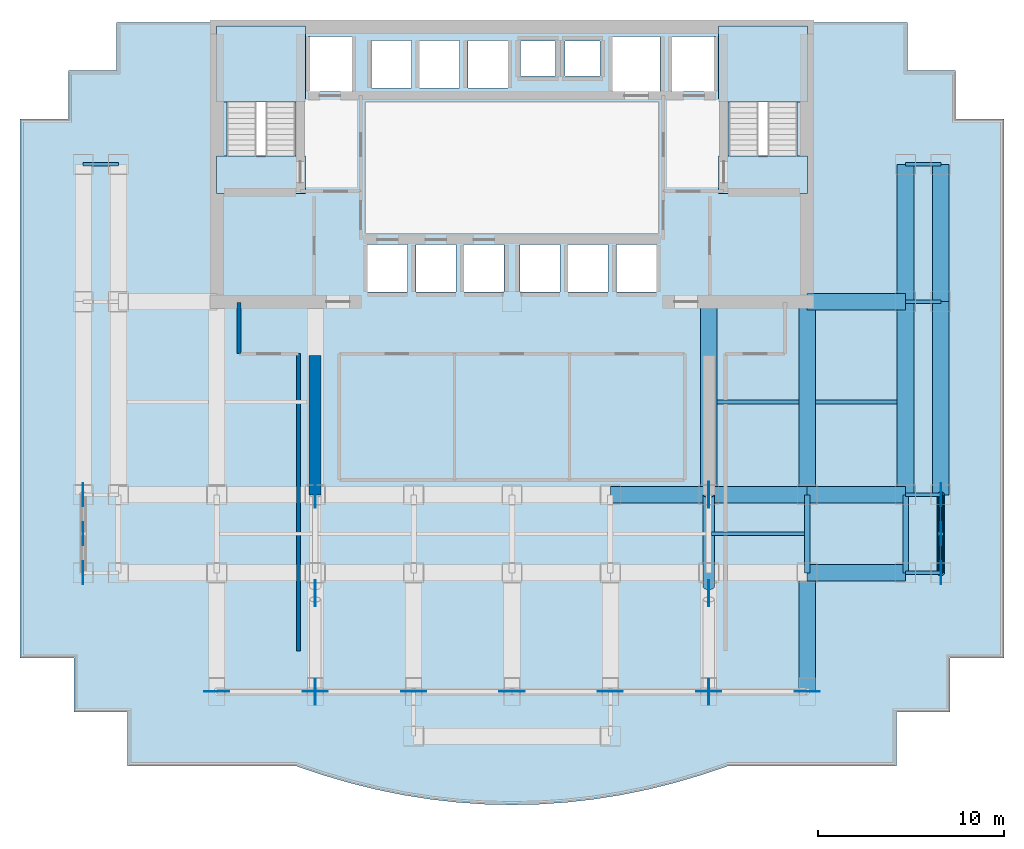
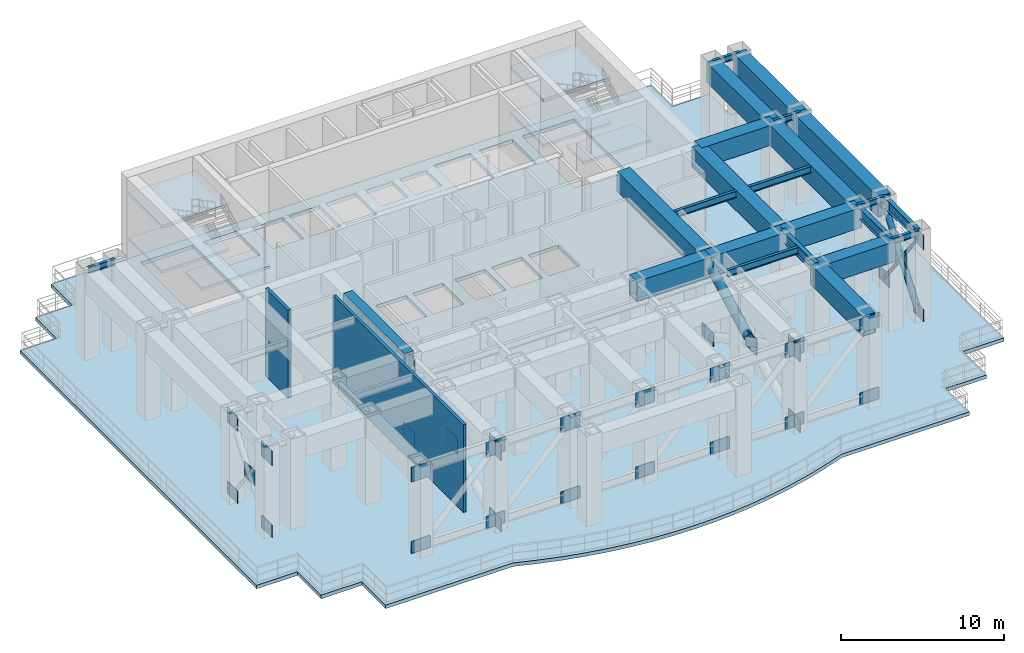
# One storey, part 2 of 7: 34 plates, 23 beams, 7 slabs, 4 members, 3 walls, 2 elements without a shape of their own.
"""IFC4 building model written with IfcOpenShell, lengths in metres."""

from ifc_helpers import new_model, si_unit, direction, frame, frame_2d, origin, origin_2d, place, context, subcontext, project, spatial, polyline, rectangle, hollow_rectangle, hollow_circle, i_section, outline, extrude, source, transform, mapped, material, layer, layer_set, material_profile, profile_set, type_object, element, aggregate, save


model = new_model("IFC4")

# Units and contexts
model_context = context("Model", 3, precision=1e-05, world=origin(), true_north=direction((0.0, 1.0)))
body_context = subcontext(model_context, "Body", "Model", "MODEL_VIEW")
ifc_project = project(units=[si_unit("LENGTHUNIT", "METRE"), si_unit("AREAUNIT", "SQUARE_METRE"), si_unit("VOLUMEUNIT", "CUBIC_METRE"), si_unit("PLANEANGLEUNIT", "RADIAN"), si_unit("MASSUNIT", "GRAM", prefix="KILO")], contexts=[model_context])

# Site, building, storey
site_placement = place(None, origin())
site = spatial("IfcSite", under=ifc_project, at=site_placement, CompositionType="ELEMENT")
building_placement = place(site_placement, origin())
building = spatial("IfcBuilding", under=site, at=building_placement, Name="Qianlan Lanfeng Residences", CompositionType="ELEMENT")
storey_placement = place(building_placement, frame((0.0, 0.0, 70.39990234375)))
storey = spatial("IfcBuildingStorey", under=building, at=storey_placement, Name="L19", CompositionType="ELEMENT", Elevation=70.39990234375)

# Member
ifc_material_1 = material(Name="Steel SN490B", Category="steel")
ifc_material_profile_1 = material_profile(ifc_material_1, hollow_circle(Radius=0.203125, WallThickness=0.01611328125, at=origin_2d()), Name="CHS 406.4x16")
ifc_profile_set_1 = profile_set([ifc_material_profile_1], Name="Steel SN490B")
member_type_1 = type_object("IfcMemberType", Name="BB-457", PredefinedType="BRACE", material=ifc_profile_set_1)
member_1_placement = place(storey_placement, frame((49.60009765625, 10.60009765625, 0.35009765625), z_axis=(0.0, 0.602743372314, 0.79793510208), x_axis=(-1.0, 0.0, 0.0)))
element("IfcMember", 1, at=member_1_placement, inside=storey, type_object=member_type_1, Name="L19 E End Portal Continuous Diagonal", PredefinedType="BRACE", context=body_context, shape_type="SweptSolid", body=[
    extrude(hollow_circle(Radius=0.203125, WallThickness=0.01611328125, at=origin_2d()), origin(), (0.0, 0.0, 1.0), 6.968017578125),
])

# Beams
ifc_material_profile_2 = material_profile(ifc_material_1, i_section(OverallWidth=0.300048828125, OverallDepth=0.800048828125, WebThickness=0.01611328125, FlangeThickness=0.028076171875, at=origin_2d()), Name="H 800x300x16x28")
ifc_profile_set_2 = profile_set([ifc_material_profile_2], Name="Steel SN490B")
beam_type_1 = type_object("IfcBeamType", Name="G-950", PredefinedType="BEAM", material=ifc_profile_set_2)
for number, where, z_axis, x_axis, name in (
    (2, (42.39990234375, 10.60009765625, 6.16015625), (0.0, 1.0, 0.0), (-1.0, 0.0, 0.0), "Structural beam G-950"),
    (3, (47.699951171875, 10.60009765625, 6.16015625), (0.0, 1.0, 0.0), (-1.0, 0.0, 0.0), "Structural beam G-950"),
    (4, (49.60009765625, 10.60009765625, 6.16015625), (0.0, 1.0, 0.0), (-1.0, 0.0, 0.0), "Structural beam G-950"),
):
    element("IfcBeam", number, at=place(storey_placement, frame(where, z_axis=z_axis, x_axis=x_axis)), inside=storey, type_object=beam_type_1, Name=name, PredefinedType="BEAM", context=body_context, shape_type="SweptSolid", body=[
        extrude(i_section(OverallWidth=0.300048828125, OverallDepth=0.800048828125, WebThickness=0.01611328125, FlangeThickness=0.028076171875, at=origin_2d()), origin(), (0.0, 0.0, 1.0), 4.199951171875),
    ])
ifc_material_profile_3 = material_profile(ifc_material_1, i_section(OverallWidth=0.199951171875, OverallDepth=0.449951171875, WebThickness=0.009033203125, FlangeThickness=0.013916015625, at=origin_2d()), Name="H 450x200x9x14")
ifc_profile_set_3 = profile_set([ifc_material_profile_3], Name="Steel SN490B")
beam_type_2 = type_object("IfcBeamType", Name="J-450", PredefinedType="JOIST", material=ifc_profile_set_3)
for number, where, z_axis, x_axis, name in (
    (5, (47.699951171875, 10.60009765625, 6.335205078125), (1.0, 0.0, 0.0), (0.0, 1.0, 0.0), "Structural beam J-450"),
    (6, (47.699951171875, 14.800048828125, 6.335205078125), (1.0, 0.0, 0.0), (0.0, 1.0, 0.0), "Structural beam J-450"),
    (7, (47.699951171875, 25.199951171875, 6.335205078125), (1.0, 0.0, 0.0), (0.0, 1.0, 0.0), "Structural beam J-450"),
    (8, (3.39990234375, 32.60009765625, 6.335205078125), (1.0, 0.0, 0.0), (0.0, 1.0, 0.0), "Structural beam J-450"),
    (9, (47.699951171875, 32.60009765625, 6.335205078125), (1.0, 0.0, 0.0), (0.0, 1.0, 0.0), "Structural beam J-450"),
):
    element("IfcBeam", number, at=place(storey_placement, frame(where, z_axis=z_axis, x_axis=x_axis)), inside=storey, type_object=beam_type_2, Name=name, PredefinedType="JOIST", context=body_context, shape_type="SweptSolid", body=[
        extrude(i_section(OverallWidth=0.199951171875, OverallDepth=0.449951171875, WebThickness=0.009033203125, FlangeThickness=0.013916015625, at=origin_2d()), origin(), (0.0, 0.0, 1.0), 1.900146484375),
    ])
ifc_material_profile_4 = material_profile(ifc_material_1, i_section(OverallWidth=0.199951171875, OverallDepth=0.5, WebThickness=0.010009765625, FlangeThickness=0.01611328125, at=origin_2d()), Name="H 500x200x10x16")
ifc_profile_set_4 = profile_set([ifc_material_profile_4], Name="Steel SN490B")
beam_type_3 = type_object("IfcBeamType", Name="J-500", PredefinedType="JOIST", material=ifc_profile_set_4)
beam_1_placement = place(storey_placement, frame((37.25, 12.699951171875, 6.31005859375), z_axis=(1.0, 0.0, 0.0), x_axis=(0.0, 1.0, 0.0)))
element("IfcBeam", 10, at=beam_1_placement, inside=storey, type_object=beam_type_3, Name="Structural beam J-500", PredefinedType="JOIST", context=body_context, shape_type="SweptSolid", body=[
    extrude(i_section(OverallWidth=0.199951171875, OverallDepth=0.5, WebThickness=0.010009765625, FlangeThickness=0.01611328125, at=origin_2d()), origin(), (0.0, 0.0, 1.0), 5.0),
])
for number, where, z_axis, x_axis, name in (
    (11, (37.550048828125, 19.800048828125, 6.31005859375), (1.0, 0.0, 0.0), (0.0, 1.0, 0.0), "Structural beam J-500"),
    (12, (42.85009765625, 19.800048828125, 6.31005859375), (1.0, 0.0, 0.0), (0.0, 1.0, 0.0), "Structural beam J-500"),
):
    element("IfcBeam", number, at=place(storey_placement, frame(where, z_axis=z_axis, x_axis=x_axis)), inside=storey, type_object=beam_type_3, Name=name, PredefinedType="JOIST", context=body_context, shape_type="SweptSolid", body=[
        extrude(i_section(OverallWidth=0.199951171875, OverallDepth=0.5, WebThickness=0.010009765625, FlangeThickness=0.01611328125, at=origin_2d()), origin(), (0.0, 0.0, 1.0), 4.39990234375),
    ])

# Members
ifc_material_profile_5 = material_profile(ifc_material_1, hollow_circle(Radius=0.3046875, WallThickness=0.02490234375, at=origin_2d()), Name="CHS 609.6x25")
ifc_profile_set_5 = profile_set([ifc_material_profile_5], Name="Steel SN490B")
member_type_2 = type_object("IfcMemberType", Name="OB-610", PredefinedType="BRACE", material=ifc_profile_set_5)
member_2_placement = place(storey_placement, frame((37.10009765625, 14.800048828125, 5.91015625), z_axis=(0.0, -0.885573074059, -0.464500086654), x_axis=(1.0, 0.0, 0.0)))
element("IfcMember", 13, at=member_2_placement, inside=storey, type_object=member_type_2, Name="L19 Outrigger Split Upper Half-Diagonal G8-D2A", PredefinedType="BRACE", context=body_context, shape_type="SweptSolid", body=[
    extrude(hollow_circle(Radius=0.3046875, WallThickness=0.02490234375, at=origin_2d()), origin(), (0.0, 0.0, 1.0), 5.60498046875),
])
ifc_material_profile_6 = material_profile(ifc_material_1, hollow_circle(Radius=0.109619140625, WallThickness=0.010009765625, at=origin_2d()), Name="CHS 219.1x10")
ifc_profile_set_6 = profile_set([ifc_material_profile_6], Name="Steel SN490B")
member_type_3 = type_object("IfcMemberType", Name="PB-273", PredefinedType="STRUT", material=ifc_profile_set_6)
member_3_placement = place(storey_placement, frame((49.60009765625, 14.800048828125, 0.35009765625), z_axis=(0.0, -0.602766012183, 0.797917999895), x_axis=(1.0, 0.0, 0.0)))
element("IfcMember", 14, at=member_3_placement, inside=storey, type_object=member_type_3, Name="L19 E Portal Split Counter-Brace Lower Half", PredefinedType="STRUT", context=body_context, shape_type="SweptSolid", body=[
    extrude(hollow_circle(Radius=0.109619140625, WallThickness=0.010009765625, at=origin_2d()), origin(), (0.0, 0.0, 1.0), 3.243896484375),
])
member_4_placement = place(storey_placement, frame((49.60009765625, 12.555419921875, 3.321533203125), z_axis=(0.0, -0.602729816328, 0.797945341806), x_axis=(1.0, 0.0, 0.0)))
element("IfcMember", 15, at=member_4_placement, inside=storey, type_object=member_type_3, Name="L19 E Portal Split Counter-Brace Upper Half", PredefinedType="STRUT", context=body_context, shape_type="SweptSolid", body=[
    extrude(hollow_circle(Radius=0.109619140625, WallThickness=0.010009765625, at=origin_2d()), origin(), (0.0, 0.0, 1.0), 3.244140625),
])

# Beams
ifc_material_2 = material(Name="Steel SM570 (420 MPa)", Category="steel")
ifc_material_profile_7 = material_profile(ifc_material_2, hollow_rectangle(XDim=0.89990234375, YDim=1.5, WallThickness=0.035888671875, at=origin_2d()), Name="BOX 1500x900x36")
ifc_profile_set_7 = profile_set([ifc_material_profile_7], Name="Steel SM570 (420 MPa)")
beam_type_4 = type_object("IfcBeamType", Name="TG-1800", PredefinedType="BEAM", material=ifc_profile_set_7)
for number, where, z_axis, x_axis, name in (
    (16, (42.39990234375, 10.60009765625, 5.81005859375), (1.0, 0.0, 0.0), (0.0, 1.0, 0.0), "Structural beam TG-1800"),
    (17, (31.800048828125, 14.800048828125, 5.81005859375), (1.0, 0.0, 0.0), (0.0, 1.0, 0.0), "Structural beam TG-1800"),
):
    element("IfcBeam", number, at=place(storey_placement, frame(where, z_axis=z_axis, x_axis=x_axis)), inside=storey, type_object=beam_type_4, Name=name, PredefinedType="BEAM", context=body_context, shape_type="SweptSolid", body=[
        extrude(hollow_rectangle(XDim=0.89990234375, YDim=1.5, WallThickness=0.035888671875, at=origin_2d()), origin(), (0.0, 0.0, 1.0), 5.300048828125),
    ])
beam_2_placement = place(storey_placement, frame((37.10009765625, 14.800048828125, 5.81005859375), z_axis=(1.0, 0.0, 0.0), x_axis=(0.0, 1.0, 0.0)))
element("IfcBeam", 18, at=beam_2_placement, inside=storey, type_object=beam_type_4, Name="Structural beam TG-1800", PredefinedType="BEAM", context=body_context, shape_type="SweptSolid", body=[
    extrude(hollow_rectangle(XDim=0.89990234375, YDim=1.5, WallThickness=0.035888671875, at=origin_2d()), origin(), (0.0, 0.0, 1.0), 5.2998046875),
])
for number, where, z_axis, x_axis, name in (
    (19, (42.39990234375, 14.800048828125, 5.81005859375), (1.0, 0.0, 0.0), (0.0, 1.0, 0.0), "Structural beam TG-1800"),
    (20, (42.39990234375, 25.199951171875, 5.81005859375), (1.0, 0.0, 0.0), (0.0, 1.0, 0.0), "Structural beam TG-1800"),
):
    element("IfcBeam", number, at=place(storey_placement, frame(where, z_axis=z_axis, x_axis=x_axis)), inside=storey, type_object=beam_type_4, Name=name, PredefinedType="BEAM", context=body_context, shape_type="SweptSolid", body=[
        extrude(hollow_rectangle(XDim=0.89990234375, YDim=1.5, WallThickness=0.035888671875, at=origin_2d()), origin(), (0.0, 0.0, 1.0), 5.300048828125),
    ])
beam_3_placement = place(storey_placement, frame((37.10009765625, 14.800048828125, 5.81005859375), z_axis=(0.0, 1.0, 0.0), x_axis=(-1.0, 0.0, 0.0)))
element("IfcBeam", 21, at=beam_3_placement, inside=storey, type_object=beam_type_4, Name="Structural beam TG-1800", PredefinedType="BEAM", context=body_context, shape_type="SweptSolid", body=[
    extrude(hollow_rectangle(XDim=0.89990234375, YDim=1.5, WallThickness=0.035888671875, at=origin_2d()), origin(), (0.0, 0.0, 1.0), 10.39990234375),
])
beam_4_placement = place(storey_placement, frame((42.39990234375, 4.199951171875, 5.81005859375), z_axis=(0.0, 1.0, 0.0), x_axis=(-1.0, 0.0, 0.0)))
element("IfcBeam", 22, at=beam_4_placement, inside=storey, type_object=beam_type_4, Name="Structural beam TG-1800", PredefinedType="BEAM", context=body_context, shape_type="SweptSolid", body=[
    extrude(hollow_rectangle(XDim=0.89990234375, YDim=1.5, WallThickness=0.035888671875, at=origin_2d()), origin(), (0.0, 0.0, 1.0), 6.400146484375),
])
for number, where, z_axis, x_axis, name in (
    (23, (42.39990234375, 14.800048828125, 5.81005859375), (0.0, 1.0, 0.0), (-1.0, 0.0, 0.0), "Structural beam TG-1800"),
    (24, (47.699951171875, 14.800048828125, 5.81005859375), (0.0, 1.0, 0.0), (-1.0, 0.0, 0.0), "Structural beam TG-1800"),
):
    element("IfcBeam", number, at=place(storey_placement, frame(where, z_axis=z_axis, x_axis=x_axis)), inside=storey, type_object=beam_type_4, Name=name, PredefinedType="BEAM", context=body_context, shape_type="SweptSolid", body=[
        extrude(hollow_rectangle(XDim=0.89990234375, YDim=1.5, WallThickness=0.035888671875, at=origin_2d()), origin(), (0.0, 0.0, 1.0), 10.39990234375),
    ])
beam_5_placement = place(storey_placement, frame((47.699951171875, 25.199951171875, 5.81005859375), z_axis=(0.0, 1.0, 0.0), x_axis=(-1.0, 0.0, 0.0)))
element("IfcBeam", 25, at=beam_5_placement, inside=storey, type_object=beam_type_4, Name="Structural beam TG-1800", PredefinedType="BEAM", context=body_context, shape_type="SweptSolid", body=[
    extrude(hollow_rectangle(XDim=0.89990234375, YDim=1.5, WallThickness=0.035888671875, at=origin_2d()), origin(), (0.0, 0.0, 1.0), 7.400146484375),
])
beam_6_placement = place(storey_placement, frame((49.60009765625, 14.800048828125, 5.81005859375), z_axis=(0.0, 1.0, 0.0), x_axis=(-1.0, 0.0, 0.0)))
element("IfcBeam", 26, at=beam_6_placement, inside=storey, type_object=beam_type_4, Name="Structural beam TG-1800", PredefinedType="BEAM", context=body_context, shape_type="SweptSolid", body=[
    extrude(hollow_rectangle(XDim=0.89990234375, YDim=1.5, WallThickness=0.035888671875, at=origin_2d()), origin(), (0.0, 0.0, 1.0), 10.39990234375),
])
beam_7_placement = place(storey_placement, frame((49.60009765625, 25.199951171875, 5.81005859375), z_axis=(0.0, 1.0, 0.0), x_axis=(-1.0, 0.0, 0.0)))
element("IfcBeam", 27, at=beam_7_placement, inside=storey, type_object=beam_type_4, Name="Structural beam TG-1800", PredefinedType="BEAM", context=body_context, shape_type="SweptSolid", body=[
    extrude(hollow_rectangle(XDim=0.89990234375, YDim=1.5, WallThickness=0.035888671875, at=origin_2d()), origin(), (0.0, 0.0, 1.0), 7.400146484375),
])

# Stair, slabs
ifc_material_3 = material(Name="Concrete C42", Category="concrete")
stair_type = type_object("IfcStairType", Name="STR-MAIN", PredefinedType="HALF_TURN_STAIR", material=ifc_material_3)
stair_1_placement = place(storey_placement, origin())
stair_1 = element("IfcStair", 28, at=stair_1_placement, inside=storey, type_object=stair_type, Name="L19 Exit Stair ST-1", PredefinedType="HALF_TURN_STAIR")
ifc_layer_1 = layer(ifc_material_3, 0.179931640625)
ifc_layer_set_1 = layer_set([ifc_layer_1], Name="Concrete C42")
slab_type_1 = type_object("IfcSlabType", Name="S-LND-180", PredefinedType="LANDING", material=ifc_layer_set_1)
slab_1_placement = place(storey_placement, frame((0.0, 0.0, 1.5)))
slab_1 = element("IfcSlab", 29, at=slab_1_placement, type_object=slab_type_1, Name="ST-1 landing 1", PredefinedType="LANDING", context=body_context, shape_type="SweptSolid", body=[
    extrude(outline(polyline([(10.580078125, 35.949951171875), (15.3798828125, 35.949951171875), (15.3798828125, 40.050048828125), (10.580078125, 40.050048828125), (10.580078125, 35.949951171875)])), origin(), (0.0, 0.0, 1.0), 0.2001953125),
])
slab_2_placement = place(storey_placement, frame((0.0, 0.0, 3.2001953125)))
slab_2 = element("IfcSlab", 30, at=slab_2_placement, type_object=slab_type_1, Name="ST-1 landing 2", PredefinedType="LANDING", context=body_context, shape_type="SweptSolid", body=[
    extrude(outline(polyline([(10.580078125, 31.02001953125), (15.3798828125, 31.02001953125), (15.3798828125, 33.050048828125), (10.580078125, 33.050048828125), (10.580078125, 31.02001953125)])), origin(), (0.0, 0.0, 1.0), 0.199951171875),
])
slab_3_placement = place(storey_placement, frame((0.0, 0.0, 4.900146484375)))
slab_3 = element("IfcSlab", 31, at=slab_3_placement, type_object=slab_type_1, Name="ST-1 landing 3", PredefinedType="LANDING", context=body_context, shape_type="SweptSolid", body=[
    extrude(outline(polyline([(10.580078125, 35.949951171875), (15.3798828125, 35.949951171875), (15.3798828125, 40.050048828125), (10.580078125, 40.050048828125), (10.580078125, 35.949951171875)])), origin(), (0.0, 0.0, 1.0), 0.199951171875),
])
aggregate(stair_1, [slab_1, slab_2, slab_3])

stair_2_placement = place(storey_placement, origin())
stair_2 = element("IfcStair", 32, at=stair_2_placement, inside=storey, type_object=stair_type, Name="L19 Exit Stair ST-2", PredefinedType="HALF_TURN_STAIR")
slab_4_placement = place(storey_placement, frame((0.0, 0.0, 1.5)))
slab_4 = element("IfcSlab", 33, at=slab_4_placement, type_object=slab_type_1, Name="ST-2 landing 1", PredefinedType="LANDING", context=body_context, shape_type="SweptSolid", body=[
    extrude(outline(polyline([(37.6201171875, 35.949951171875), (42.419921875, 35.949951171875), (42.419921875, 40.050048828125), (37.6201171875, 40.050048828125), (37.6201171875, 35.949951171875)])), origin(), (0.0, 0.0, 1.0), 0.2001953125),
])
slab_5_placement = place(storey_placement, frame((0.0, 0.0, 3.2001953125)))
slab_5 = element("IfcSlab", 34, at=slab_5_placement, type_object=slab_type_1, Name="ST-2 landing 2", PredefinedType="LANDING", context=body_context, shape_type="SweptSolid", body=[
    extrude(outline(polyline([(37.6201171875, 31.02001953125), (42.419921875, 31.02001953125), (42.419921875, 33.050048828125), (37.6201171875, 33.050048828125), (37.6201171875, 31.02001953125)])), origin(), (0.0, 0.0, 1.0), 0.199951171875),
])
slab_6_placement = place(storey_placement, frame((0.0, 0.0, 4.900146484375)))
slab_6 = element("IfcSlab", 35, at=slab_6_placement, type_object=slab_type_1, Name="ST-2 landing 3", PredefinedType="LANDING", context=body_context, shape_type="SweptSolid", body=[
    extrude(outline(polyline([(37.6201171875, 35.949951171875), (42.419921875, 35.949951171875), (42.419921875, 40.050048828125), (37.6201171875, 40.050048828125), (37.6201171875, 35.949951171875)])), origin(), (0.0, 0.0, 1.0), 0.199951171875),
])
aggregate(stair_2, [slab_4, slab_5, slab_6])

# Slab
ifc_material_4 = material(Name="Concrete C56", Category="concrete")
ifc_layer_2 = layer(ifc_material_4, 0.27001953125)
ifc_layer_set_2 = layer_set([ifc_layer_2], Name="Concrete C56")
slab_type_2 = type_object("IfcSlabType", Name="S-PRT-270", PredefinedType="FLOOR", material=ifc_layer_set_2)
slab_7_placement = place(storey_placement, frame((0.0, 0.0, -0.27001953125)))
element("IfcSlab", 36, at=slab_7_placement, inside=storey, type_object=slab_type_2, Name="L19 Structural Floor Slab", PredefinedType="FLOOR", context=body_context, shape_type="SweptSolid", body=[
    extrude(outline(polyline([(0.0, 6.0), (2.89990234375, 6.0), (2.89990234375, 3.10009765625), (5.800048828125, 3.10009765625), (5.800048828125, 0.199951171875), (14.85009765625, 0.199951171875), (16.305908203125, -0.2919921875), (17.761962890625, -0.718994140625), (19.218994140625, -1.080078125), (20.675048828125, -1.375), (22.131103515625, -1.60498046875), (23.5869140625, -1.76904296875), (25.0439453125, -1.866943359375), (26.5, -1.89990234375), (27.9560546875, -1.866943359375), (29.412109375, -1.76904296875), (30.868896484375, -1.60498046875), (32.324951171875, -1.375), (33.781005859375, -1.080078125), (35.237060546875, -0.718994140625), (36.694091796875, -0.2919921875), (38.14990234375, 0.199951171875), (47.199951171875, 0.199951171875), (47.199951171875, 3.10009765625), (50.10009765625, 3.10009765625), (50.10009765625, 6.0), (53.0, 6.0), (53.0, 35.050048828125), (50.39990234375, 35.050048828125), (50.39990234375, 37.64990234375), (47.800048828125, 37.64990234375), (47.800048828125, 40.25), (5.199951171875, 40.25), (5.199951171875, 37.64990234375), (2.60009765625, 37.64990234375), (2.60009765625, 35.050048828125), (0.0, 35.050048828125), (0.0, 6.0)]), holes=[polyline([(11.139892578125, 33.080078125), (11.139892578125, 39.5), (14.820068359375, 39.5), (14.820068359375, 33.080078125), (11.139892578125, 33.080078125)]), polyline([(38.179931640625, 33.080078125), (38.179931640625, 39.5), (41.860107421875, 39.5), (41.860107421875, 33.080078125), (38.179931640625, 33.080078125)]), polyline([(15.52001953125, 36.52001953125), (15.52001953125, 39.47998046875), (17.8798828125, 39.47998046875), (17.8798828125, 36.52001953125), (15.52001953125, 36.52001953125)]), polyline([(35.1201171875, 36.52001953125), (35.1201171875, 39.47998046875), (37.47998046875, 39.47998046875), (37.47998046875, 36.52001953125), (35.1201171875, 36.52001953125)]), polyline([(31.919921875, 36.52001953125), (31.919921875, 39.47998046875), (34.47998046875, 39.47998046875), (34.47998046875, 36.52001953125), (31.919921875, 36.52001953125)]), polyline([(18.719970703125, 25.719970703125), (18.719970703125, 28.280029296875), (20.8798828125, 28.280029296875), (20.8798828125, 25.719970703125), (18.719970703125, 25.719970703125)]), polyline([(21.320068359375, 25.719970703125), (21.320068359375, 28.280029296875), (23.47998046875, 28.280029296875), (23.47998046875, 25.719970703125), (21.320068359375, 25.719970703125)]), polyline([(23.919921875, 25.719970703125), (23.919921875, 28.280029296875), (26.080078125, 28.280029296875), (26.080078125, 25.719970703125), (23.919921875, 25.719970703125)]), polyline([(26.919921875, 25.719970703125), (26.919921875, 28.280029296875), (29.080078125, 28.280029296875), (29.080078125, 25.719970703125), (26.919921875, 25.719970703125)]), polyline([(29.52001953125, 25.719970703125), (29.52001953125, 28.280029296875), (31.679931640625, 28.280029296875), (31.679931640625, 25.719970703125), (29.52001953125, 25.719970703125)]), polyline([(32.1201171875, 25.719970703125), (32.1201171875, 28.280029296875), (34.280029296875, 28.280029296875), (34.280029296875, 25.719970703125), (32.1201171875, 25.719970703125)]), polyline([(18.919921875, 36.719970703125), (18.919921875, 39.280029296875), (21.080078125, 39.280029296875), (21.080078125, 36.719970703125), (18.919921875, 36.719970703125)]), polyline([(21.52001953125, 36.719970703125), (21.52001953125, 39.280029296875), (23.679931640625, 39.280029296875), (23.679931640625, 36.719970703125), (21.52001953125, 36.719970703125)]), polyline([(24.1201171875, 36.719970703125), (24.1201171875, 39.280029296875), (26.280029296875, 39.280029296875), (26.280029296875, 36.719970703125), (24.1201171875, 36.719970703125)]), polyline([(26.949951171875, 37.35009765625), (26.949951171875, 39.25), (28.85009765625, 39.25), (28.85009765625, 37.35009765625), (26.949951171875, 37.35009765625)]), polyline([(29.35009765625, 37.35009765625), (29.35009765625, 39.25), (31.25, 39.25), (31.25, 37.35009765625), (29.35009765625, 37.35009765625)])]), origin(), (0.0, 0.0, 1.0), 0.27001953125),
])

# Plates
ifc_layer_3 = layer(ifc_material_1, 0.035888671875)
ifc_layer_set_3 = layer_set([ifc_layer_3], Name="Steel SN490B")
plate_type_1 = type_object("IfcPlateType", Name="NP-GUS-36", PredefinedType="USERDEFINED", material=ifc_layer_set_3)
shared_shape_1 = source(origin(), body_context, "Body", "SweptSolid", [
    extrude(rectangle(XDim=0.035888671875, YDim=1.39990234375, at=origin_2d()), origin(), (0.0, 0.0, 1.0), 1.199951171875),
])
for number, where, z_axis, x_axis, name in (
    (37, (15.89990234375, 9.5, 2.5302734375), (0.0, 0.0, 1.0), (1.0, 0.0, 0.0), "L19 Outrigger X-Brace Central Gusset Plate G4-XC"),
    (38, (15.89990234375, 14.800048828125, -0.25), (0.0, 0.0, 1.0), (1.0, 0.0, 0.0), "L19 Outrigger End Gusset Plate G4-NB"),
    (39, (15.89990234375, 14.800048828125, 5.31005859375), (0.0, 0.0, 1.0), (1.0, 0.0, 0.0), "L19 Outrigger End Gusset Plate G4-NT"),
    (40, (15.89990234375, 4.199951171875, -0.25), (0.0, 0.0, 1.0), (1.0, 0.0, 0.0), "L19 Outrigger End Gusset Plate G4-SB"),
    (41, (15.89990234375, 4.199951171875, 5.31005859375), (0.0, 0.0, 1.0), (1.0, 0.0, 0.0), "L19 Outrigger End Gusset Plate G4-ST"),
    (42, (37.10009765625, 9.5, 2.5302734375), (0.0, 0.0, 1.0), (1.0, 0.0, 0.0), "L19 Outrigger X-Brace Central Gusset Plate G8-XC"),
    (43, (37.10009765625, 14.800048828125, -0.25), (0.0, 0.0, 1.0), (1.0, 0.0, 0.0), "L19 Outrigger End Gusset Plate G8-NB"),
    (44, (37.10009765625, 14.800048828125, 5.31005859375), (0.0, 0.0, 1.0), (1.0, 0.0, 0.0), "L19 Outrigger End Gusset Plate G8-NT"),
    (45, (37.10009765625, 4.199951171875, -0.25), (0.0, 0.0, 1.0), (1.0, 0.0, 0.0), "L19 Outrigger End Gusset Plate G8-SB"),
    (46, (37.10009765625, 4.199951171875, 5.31005859375), (0.0, 0.0, 1.0), (1.0, 0.0, 0.0), "L19 Outrigger End Gusset Plate G8-ST"),
):
    element("IfcPlate", number, at=place(storey_placement, frame(where, z_axis=z_axis, x_axis=x_axis)), inside=storey, type_object=plate_type_1, Name=name, ObjectType="GUSSET", PredefinedType="USERDEFINED", context=body_context, shape_type="MappedRepresentation", body=[
        mapped(shared_shape_1, transform((0.0, 0.0, 0.0), scale=1.0)),
    ])
ifc_layer_4 = layer(ifc_material_1, 0.028076171875)
ifc_layer_set_4 = layer_set([ifc_layer_4], Name="Steel SN490B")
plate_type_2 = type_object("IfcPlateType", Name="NP-GUS-28", PredefinedType="USERDEFINED", material=ifc_layer_set_4)
shared_shape_2 = source(origin(), body_context, "Body", "SweptSolid", [
    extrude(rectangle(XDim=1.35009765625, YDim=0.028076171875, at=origin_2d()), origin(), (0.0, 0.0, 1.0), 1.10009765625),
])
for number, where, z_axis, x_axis, name in (
    (47, (10.60009765625, 4.199951171875, -0.199951171875), (0.0, 0.0, 1.0), (1.0, 0.0, 0.0), "L19 Belt Truss End Gusset Plate B1"),
    (48, (10.60009765625, 4.199951171875, 5.360107421875), (0.0, 0.0, 1.0), (1.0, 0.0, 0.0), "L19 Belt Truss End Gusset Plate T1"),
    (49, (15.89990234375, 4.199951171875, -0.199951171875), (0.0, 0.0, 1.0), (1.0, 0.0, 0.0), "L19 Belt Truss End Gusset Plate B2"),
    (50, (15.89990234375, 4.199951171875, 5.360107421875), (0.0, 0.0, 1.0), (1.0, 0.0, 0.0), "L19 Belt Truss End Gusset Plate T2"),
    (51, (21.199951171875, 4.199951171875, -0.199951171875), (0.0, 0.0, 1.0), (1.0, 0.0, 0.0), "L19 Belt Truss End Gusset Plate B3"),
    (52, (21.199951171875, 4.199951171875, 5.360107421875), (0.0, 0.0, 1.0), (1.0, 0.0, 0.0), "L19 Belt Truss End Gusset Plate T3"),
    (53, (26.5, 4.199951171875, -0.199951171875), (0.0, 0.0, 1.0), (1.0, 0.0, 0.0), "L19 Belt Truss End Gusset Plate B4"),
    (54, (26.5, 4.199951171875, 5.360107421875), (0.0, 0.0, 1.0), (1.0, 0.0, 0.0), "L19 Belt Truss End Gusset Plate T4"),
    (55, (31.800048828125, 4.199951171875, -0.199951171875), (0.0, 0.0, 1.0), (1.0, 0.0, 0.0), "L19 Belt Truss End Gusset Plate B5"),
    (56, (31.800048828125, 4.199951171875, 5.360107421875), (0.0, 0.0, 1.0), (1.0, 0.0, 0.0), "L19 Belt Truss End Gusset Plate T5"),
    (57, (37.10009765625, 4.199951171875, -0.199951171875), (0.0, 0.0, 1.0), (1.0, 0.0, 0.0), "L19 Belt Truss End Gusset Plate B6"),
    (58, (37.10009765625, 4.199951171875, 5.360107421875), (0.0, 0.0, 1.0), (1.0, 0.0, 0.0), "L19 Belt Truss End Gusset Plate T6"),
    (59, (42.39990234375, 4.199951171875, -0.199951171875), (0.0, 0.0, 1.0), (1.0, 0.0, 0.0), "L19 Belt Truss End Gusset Plate B7"),
    (60, (42.39990234375, 4.199951171875, 5.360107421875), (0.0, 0.0, 1.0), (1.0, 0.0, 0.0), "L19 Belt Truss End Gusset Plate T7"),
):
    element("IfcPlate", number, at=place(storey_placement, frame(where, z_axis=z_axis, x_axis=x_axis)), inside=storey, type_object=plate_type_2, Name=name, ObjectType="GUSSET", PredefinedType="USERDEFINED", context=body_context, shape_type="MappedRepresentation", body=[
        mapped(shared_shape_2, transform((0.0, 0.0, 0.0), scale=1.0)),
    ])
ifc_layer_5 = layer(ifc_material_1, 0.028076171875)
ifc_layer_set_5 = layer_set([ifc_layer_5], Name="Steel SN490B")
plate_type_3 = type_object("IfcPlateType", Name="NP-GUS-24", PredefinedType="USERDEFINED", material=ifc_layer_set_5)
shared_shape_3 = source(origin(), body_context, "Body", "SweptSolid", [
    extrude(rectangle(XDim=0.028076171875, YDim=1.25, at=origin_2d()), origin(), (0.0, 0.0, 1.0), 1.10009765625),
])
for number, where, z_axis, x_axis, name in (
    (61, (3.39990234375, 12.699951171875, 2.580078125), (0.0, 0.0, 1.0), (1.0, 0.0, 0.0), "L19 W Portal X-Brace Central Gusset Plate"),
    (62, (3.39990234375, 10.60009765625, -0.199951171875), (0.0, 0.0, 1.0), (1.0, 0.0, 0.0), "L19 W Portal End Gusset Plate SB"),
    (63, (3.39990234375, 10.60009765625, 5.360107421875), (0.0, 0.0, 1.0), (1.0, 0.0, 0.0), "L19 W Portal End Gusset Plate ST"),
    (64, (3.39990234375, 14.800048828125, -0.199951171875), (0.0, 0.0, 1.0), (1.0, 0.0, 0.0), "L19 W Portal End Gusset Plate NB"),
    (65, (3.39990234375, 14.800048828125, 5.360107421875), (0.0, 0.0, 1.0), (1.0, 0.0, 0.0), "L19 W Portal End Gusset Plate NT"),
    (66, (49.60009765625, 12.699951171875, 2.580078125), (0.0, 0.0, 1.0), (1.0, 0.0, 0.0), "L19 E Portal X-Brace Central Gusset Plate"),
    (67, (49.60009765625, 10.60009765625, -0.199951171875), (0.0, 0.0, 1.0), (1.0, 0.0, 0.0), "L19 E Portal End Gusset Plate SB"),
    (68, (49.60009765625, 10.60009765625, 5.360107421875), (0.0, 0.0, 1.0), (1.0, 0.0, 0.0), "L19 E Portal End Gusset Plate ST"),
    (69, (49.60009765625, 14.800048828125, -0.199951171875), (0.0, 0.0, 1.0), (1.0, 0.0, 0.0), "L19 E Portal End Gusset Plate NB"),
    (70, (49.60009765625, 14.800048828125, 5.360107421875), (0.0, 0.0, 1.0), (1.0, 0.0, 0.0), "L19 E Portal End Gusset Plate NT"),
):
    element("IfcPlate", number, at=place(storey_placement, frame(where, z_axis=z_axis, x_axis=x_axis)), inside=storey, type_object=plate_type_3, Name=name, ObjectType="GUSSET", PredefinedType="USERDEFINED", context=body_context, shape_type="MappedRepresentation", body=[
        mapped(shared_shape_3, transform((0.0, 0.0, 0.0), scale=1.0)),
    ])

# Walls
ifc_material_5 = material(Name="Concrete C60", Category="concrete")
ifc_layer_6 = layer(ifc_material_5, 0.64990234375)
ifc_layer_set_6 = layer_set([ifc_layer_6], Name="Concrete C60")
wall_type_1 = type_object("IfcWallType", Name="OW-RC-650", PredefinedType="SHEAR", material=ifc_layer_set_6)
wall_1_placement = place(storey_placement, frame((15.89990234375, 14.800048828125, 0.0), z_axis=(0.0, 0.0, 1.0), x_axis=(0.0, 1.0, 0.0)))
element("IfcWall", 71, at=wall_1_placement, inside=storey, type_object=wall_type_1, Name="L19 Outrigger Shear Wall OW-W", PredefinedType="SHEAR", context=body_context, shape_type="SweptSolid", body=[
    extrude(rectangle(XDim=7.5, YDim=0.64990234375, at=frame_2d((3.75, 0.0))), origin(), (0.0, 0.0, 1.0), 6.56005859375),
])
ifc_material_6 = material(Name="Autoclaved Aerated Concrete Blockwork 200 mm", Category="masonry")
ifc_layer_7 = layer(ifc_material_6, 0.199951171875)
ifc_layer_set_7 = layer_set([ifc_layer_7], Name="Autoclaved Aerated Concrete Blockwork 200 mm")
wall_type_2 = type_object("IfcWallType", Name="PW-200", PredefinedType="PARTITIONING", material=ifc_layer_set_7)
wall_2_placement = place(storey_placement, frame((11.800048828125, 22.39990234375, 0.0), z_axis=(0.0, 0.0, 1.0), x_axis=(0.0, 1.0, 0.0)))
element("IfcWall", 72, at=wall_2_placement, inside=storey, type_object=wall_type_2, Name="L19 West Refuge End Wall", PredefinedType="PARTITIONING", context=body_context, shape_type="SweptSolid", body=[
    extrude(rectangle(XDim=2.75, YDim=0.199951171875, at=frame_2d((1.375, 0.0))), origin(), (0.0, 0.0, 1.0), 6.56005859375),
])
wall_3_placement = place(storey_placement, frame((15.0, 6.39990234375, 0.0), z_axis=(0.0, 0.0, 1.0), x_axis=(0.0, 1.0, 0.0)))
element("IfcWall", 73, at=wall_3_placement, inside=storey, type_object=wall_type_2, Name="L19 West Outrigger Zone Separation Wall", PredefinedType="PARTITIONING", context=body_context, shape_type="SweptSolid", body=[
    extrude(rectangle(XDim=16.0, YDim=0.199951171875, at=frame_2d((8.0, 0.0))), origin(), (0.0, 0.0, 1.0), 6.56005859375),
])

save(model, "model.ifc")
